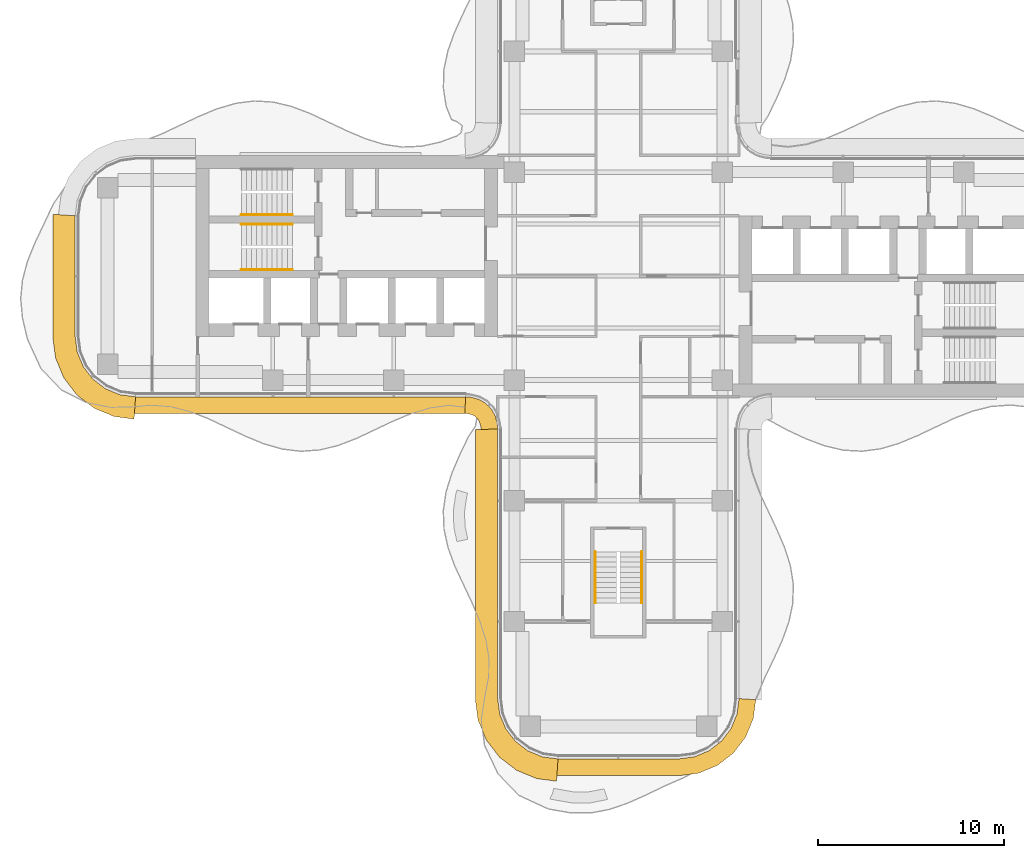
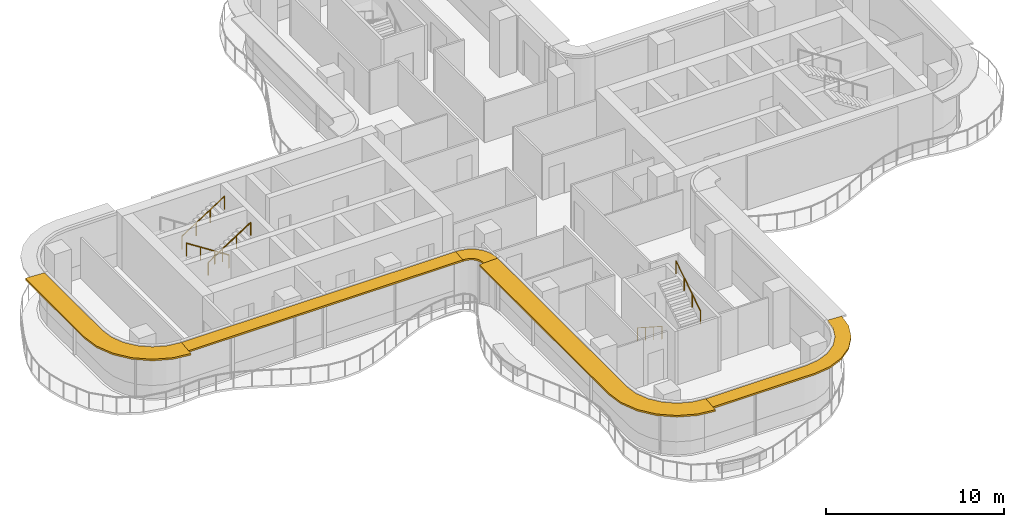
# One storey, part 17 of 18: 5 railings, 5 shading devices.
"""IFC4 building model written with IfcOpenShell, lengths in metres."""

from ifc_helpers import new_model, si_unit, direction, frame, origin, origin_2d, place, context, subcontext, project, spatial, polyline, circle, outline, extrude, source, transform, mapped, material, layer, layer_set, type_object, element, save


model = new_model("IFC4")

# Units and contexts
model_context = context("Model", 3, precision=1e-05, world=origin(), true_north=direction((0.0, 1.0)))
body_context = subcontext(model_context, "Body", "Model", "MODEL_VIEW")
ifc_project = project(units=[si_unit("LENGTHUNIT", "METRE"), si_unit("AREAUNIT", "SQUARE_METRE"), si_unit("VOLUMEUNIT", "CUBIC_METRE"), si_unit("PLANEANGLEUNIT", "RADIAN"), si_unit("MASSUNIT", "GRAM", prefix="KILO")], contexts=[model_context])

# Site, building, storey
site_placement = place(None, origin())
site = spatial("IfcSite", under=ifc_project, at=site_placement, CompositionType="ELEMENT")
building_placement = place(site_placement, origin())
building = spatial("IfcBuilding", under=site, at=building_placement, Name="Trellis Farm Tower", CompositionType="ELEMENT")
storey_placement = place(building_placement, frame((0.0, 0.0, 224.60009765625)))
storey = spatial("IfcBuildingStorey", under=building, at=storey_placement, Name="L49", CompositionType="ELEMENT", Elevation=224.60009765625)

# Railings
ifc_material_1 = material(Name="Stainless steel", Category="steel")
railing_type = type_object("IfcRailingType", Name="STAIR HANDRAIL 900", PredefinedType="HANDRAIL", material=ifc_material_1)
shared_shape_1 = source(origin(), body_context, "Body", "SweptSolid", [
    extrude(circle(Radius=0.02392578125, at=origin_2d()), frame((0.0, 0.0, 0.8759765625), z_axis=(0.0, 0.840503830235, 0.541805602924), x_axis=(-1.0, 0.0, 0.0)), (0.0, 0.0, 1.0), 3.271728515625),
    extrude(circle(Radius=0.02099609375, at=origin_2d()), origin(), (0.0, 0.0, 1.0), 0.851806640625),
    extrude(circle(Radius=0.02099609375, at=origin_2d()), frame((0.0, 0.916748046875, 0.5908203125)), (0.0, 0.0, 1.0), 0.851806640625),
    extrude(circle(Radius=0.02099609375, at=origin_2d()), frame((0.0, 1.833251953125, 1.181884765625)), (0.0, 0.0, 1.0), 0.851806640625),
    extrude(circle(Radius=0.02099609375, at=origin_2d()), frame((0.0, 2.75, 1.772705078125)), (0.0, 0.0, 1.0), 0.851806640625),
])
railing_1_placement = place(storey_placement, frame((1.25, -17.60009765625, 2.127197265625)))
element("IfcRailing", 1, at=railing_1_placement, inside=storey, type_object=railing_type, Name="Stair handrail", PredefinedType="HANDRAIL", context=body_context, shape_type="MappedRepresentation", body=[
    mapped(shared_shape_1, transform((0.0, 0.0, 0.0))),
])
shared_shape_2 = source(origin(), body_context, "Body", "SweptSolid", [
    extrude(circle(Radius=0.02392578125, at=origin_2d()), frame((0.0, 0.0, 0.8759765625), z_axis=(0.0, -0.840503830235, 0.541805602924), x_axis=(1.0, 0.0, 0.0)), (0.0, 0.0, 1.0), 3.271728515625),
    extrude(circle(Radius=0.02099609375, at=origin_2d()), origin(), (0.0, 0.0, 1.0), 0.851806640625),
    extrude(circle(Radius=0.02099609375, at=origin_2d()), frame((0.0, -0.916748046875, 0.5908203125)), (0.0, 0.0, 1.0), 0.851806640625),
    extrude(circle(Radius=0.02099609375, at=origin_2d()), frame((0.0, -1.833251953125, 1.181884765625)), (0.0, 0.0, 1.0), 0.851806640625),
    extrude(circle(Radius=0.02099609375, at=origin_2d()), frame((0.0, -2.75, 1.772705078125)), (0.0, 0.0, 1.0), 0.851806640625),
])
railing_2_placement = place(storey_placement, frame((-1.25, -14.85009765625, 0.17724609375)))
element("IfcRailing", 2, at=railing_2_placement, inside=storey, type_object=railing_type, Name="Stair handrail", PredefinedType="HANDRAIL", context=body_context, shape_type="MappedRepresentation", body=[
    mapped(shared_shape_2, transform((0.0, 0.0, 0.0))),
])
shared_shape_3 = source(origin(), body_context, "Body", "SweptSolid", [
    extrude(circle(Radius=0.02392578125, at=origin_2d()), frame((0.0, 0.0, 0.8759765625), z_axis=(0.840503830235, 0.0, 0.541805602924), x_axis=(0.0, 1.0, 0.0)), (0.0, 0.0, 1.0), 3.271728515625),
    extrude(circle(Radius=0.02099609375, at=origin_2d()), origin(), (0.0, 0.0, 1.0), 0.851806640625),
    extrude(circle(Radius=0.02099609375, at=origin_2d()), frame((0.916748046875, 0.0, 0.5908203125)), (0.0, 0.0, 1.0), 0.851806640625),
    extrude(circle(Radius=0.02099609375, at=origin_2d()), frame((1.833251953125, 0.0, 1.181884765625)), (0.0, 0.0, 1.0), 0.851806640625),
    extrude(circle(Radius=0.02099609375, at=origin_2d()), frame((2.75, 0.0, 1.772705078125)), (0.0, 0.0, 1.0), 0.851806640625),
])
for number, where, name in (
    (3, (-20.300048828125, 3.300048828125, 2.127197265625), "Stair handrail"),
    (4, (-20.300048828125, 0.35009765625, 2.127197265625), "Stair handrail"),
):
    element("IfcRailing", number, at=place(storey_placement, frame(where)), inside=storey, type_object=railing_type, Name=name, PredefinedType="HANDRAIL", context=body_context, shape_type="MappedRepresentation", body=[
        mapped(shared_shape_3, transform((0.0, 0.0, 0.0))),
    ])
shared_shape_4 = source(origin(), body_context, "Body", "SweptSolid", [
    extrude(circle(Radius=0.02392578125, at=origin_2d()), frame((0.0, 0.0, 0.8759765625), z_axis=(-0.840503830235, 0.0, 0.541805602924), x_axis=(0.0, -1.0, 0.0)), (0.0, 0.0, 1.0), 3.271728515625),
    extrude(circle(Radius=0.02099609375, at=origin_2d()), origin(), (0.0, 0.0, 1.0), 0.851806640625),
    extrude(circle(Radius=0.02099609375, at=origin_2d()), frame((-0.916748046875, 0.0, 0.5908203125)), (0.0, 0.0, 1.0), 0.851806640625),
    extrude(circle(Radius=0.02099609375, at=origin_2d()), frame((-1.833251953125, 0.0, 1.181884765625)), (0.0, 0.0, 1.0), 0.851806640625),
    extrude(circle(Radius=0.02099609375, at=origin_2d()), frame((-2.75, 0.0, 1.772705078125)), (0.0, 0.0, 1.0), 0.851806640625),
])
railing_3_placement = place(storey_placement, frame((-17.550048828125, 2.800048828125, 0.17724609375)))
element("IfcRailing", 5, at=railing_3_placement, inside=storey, type_object=railing_type, Name="Stair handrail", PredefinedType="HANDRAIL", context=body_context, shape_type="MappedRepresentation", body=[
    mapped(shared_shape_4, transform((0.0, 0.0, 0.0))),
])

# Shading devices
ifc_material_2 = material(Name="Aluminium extrusion 6063-T6", Category="aluminium")
ifc_layer_1 = layer(ifc_material_2, 0.1201171875)
ifc_layer_set_1 = layer_set([ifc_layer_1], Name="SUNSHADE BLADE 900")
shading_device_type_1 = type_object("IfcShadingDeviceType", Name="SUNSHADE BLADE 900", PredefinedType="USERDEFINED", material=ifc_layer_set_1)
shared_shape_5 = source(origin(), body_context, "Body", "SweptSolid", [
    extrude(outline(polyline([(-8.2607421875, -7.39990234375), (-8.107666015625, -7.409912109375), (-8.091552734375, -7.412109375), (-7.85595703125, -7.475341796875), (-7.697021484375, -7.567138671875), (-7.567138671875, -7.697021484375), (-7.475341796875, -7.85595703125), (-7.412109375, -8.091552734375), (-7.409912109375, -8.107666015625), (-7.39990234375, -8.2607421875), (-6.5, -8.2314453125), (-6.513916015625, -8.01953125), (-6.527587890625, -7.91552734375), (-6.63671875, -7.508544921875), (-6.846923828125, -7.144287109375), (-7.144287109375, -6.846923828125), (-7.508544921875, -6.63671875), (-7.91552734375, -6.527587890625), (-8.01953125, -6.513916015625), (-8.2314453125, -6.5), (-8.2607421875, -7.39990234375)])), origin(), (0.0, 0.0, 1.0), 0.1201171875),
])
placement = place(storey_placement, frame((0.0, 0.0, 3.539794921875)))
element("IfcShadingDevice", 6, at=placement, inside=storey, type_object=shading_device_type_1, Name="SD1 002", ObjectType="SUNSHADE", PredefinedType="USERDEFINED", context=body_context, shape_type="MappedRepresentation", body=[
    mapped(shared_shape_5, transform((0.0, 0.0, 0.0))),
])
ifc_layer_2 = layer(ifc_material_2, 0.1201171875)
ifc_layer_set_2 = layer_set([ifc_layer_2], Name="SUNSHADE BLADE 1200")
shading_device_type_2 = type_object("IfcShadingDeviceType", Name="SUNSHADE BLADE 1200", PredefinedType="USERDEFINED", material=ifc_layer_set_2)
shared_shape_6 = source(origin(), body_context, "Body", "SweptSolid", [
    extrude(outline(polyline([(-7.699951171875, -8.270751953125), (-7.699951171875, -22.82861328125), (-7.558349609375, -23.904541015625), (-7.11279296875, -24.980224609375), (-6.404052734375, -25.904052734375), (-5.480224609375, -26.61279296875), (-4.404541015625, -27.058349609375), (-3.32861328125, -27.199951171875), (-3.25, -26.0), (-4.091064453125, -25.88916015625), (-4.875, -25.564697265625), (-5.548095703125, -25.048095703125), (-6.064697265625, -24.375), (-6.38916015625, -23.591064453125), (-6.5, -22.75), (-6.5, -8.2314453125), (-7.699951171875, -8.270751953125)])), origin(), (0.0, 0.0, 1.0), 0.1201171875),
])
element("IfcShadingDevice", 7, at=placement, inside=storey, type_object=shading_device_type_2, Name="SD2 003", ObjectType="SUNSHADE", PredefinedType="USERDEFINED", context=body_context, shape_type="MappedRepresentation", body=[
    mapped(shared_shape_6, transform((0.0, 0.0, 0.0))),
])
shared_shape_7 = source(origin(), body_context, "Body", "SweptSolid", [
    extrude(outline(polyline([(-3.30908203125, -26.89990234375), (3.30908203125, -26.89990234375), (4.326171875, -26.76611328125), (5.328857421875, -26.350830078125), (6.18994140625, -25.68994140625), (6.850830078125, -24.828857421875), (7.26611328125, -23.826171875), (7.39990234375, -22.80908203125), (6.5, -22.75), (6.38916015625, -23.591064453125), (6.064697265625, -24.375), (5.548095703125, -25.048095703125), (4.875, -25.564697265625), (4.091064453125, -25.88916015625), (3.25, -26.0), (-3.25, -26.0), (-3.30908203125, -26.89990234375)])), origin(), (0.0, 0.0, 1.0), 0.1201171875),
])
element("IfcShadingDevice", 8, at=placement, inside=storey, type_object=shading_device_type_1, Name="SD1 004", ObjectType="SUNSHADE", PredefinedType="USERDEFINED", context=body_context, shape_type="MappedRepresentation", body=[
    mapped(shared_shape_7, transform((0.0, 0.0, 0.0))),
])
shared_shape_8 = source(origin(), body_context, "Body", "SweptSolid", [
    extrude(outline(polyline([(-26.05908203125, -7.39990234375), (-8.2607421875, -7.39990234375), (-8.2314453125, -6.5), (-26.0, -6.5), (-26.05908203125, -7.39990234375)])), origin(), (0.0, 0.0, 1.0), 0.1201171875),
])
element("IfcShadingDevice", 9, at=placement, inside=storey, type_object=shading_device_type_1, Name="SD1 001", ObjectType="SUNSHADE", PredefinedType="USERDEFINED", context=body_context, shape_type="MappedRepresentation", body=[
    mapped(shared_shape_8, transform((0.0, 0.0, 0.0))),
])
shared_shape_9 = source(origin(), body_context, "Body", "SweptSolid", [
    extrude(outline(polyline([(-30.449951171875, 3.32861328125), (-30.449951171875, -3.32861328125), (-30.308349609375, -4.404541015625), (-29.86279296875, -5.480224609375), (-29.154052734375, -6.404052734375), (-28.230224609375, -7.11279296875), (-27.154541015625, -7.558349609375), (-26.07861328125, -7.699951171875), (-26.0, -6.5), (-26.841064453125, -6.38916015625), (-27.625, -6.064697265625), (-28.298095703125, -5.548095703125), (-28.814697265625, -4.875), (-29.13916015625, -4.091064453125), (-29.25, -3.25), (-29.25, 3.25), (-30.449951171875, 3.32861328125)])), origin(), (0.0, 0.0, 1.0), 0.1201171875),
])
element("IfcShadingDevice", 10, at=placement, inside=storey, type_object=shading_device_type_2, Name="SD2 016", ObjectType="SUNSHADE", PredefinedType="USERDEFINED", context=body_context, shape_type="MappedRepresentation", body=[
    mapped(shared_shape_9, transform((0.0, 0.0, 0.0))),
])

save(model, "model.ifc")
